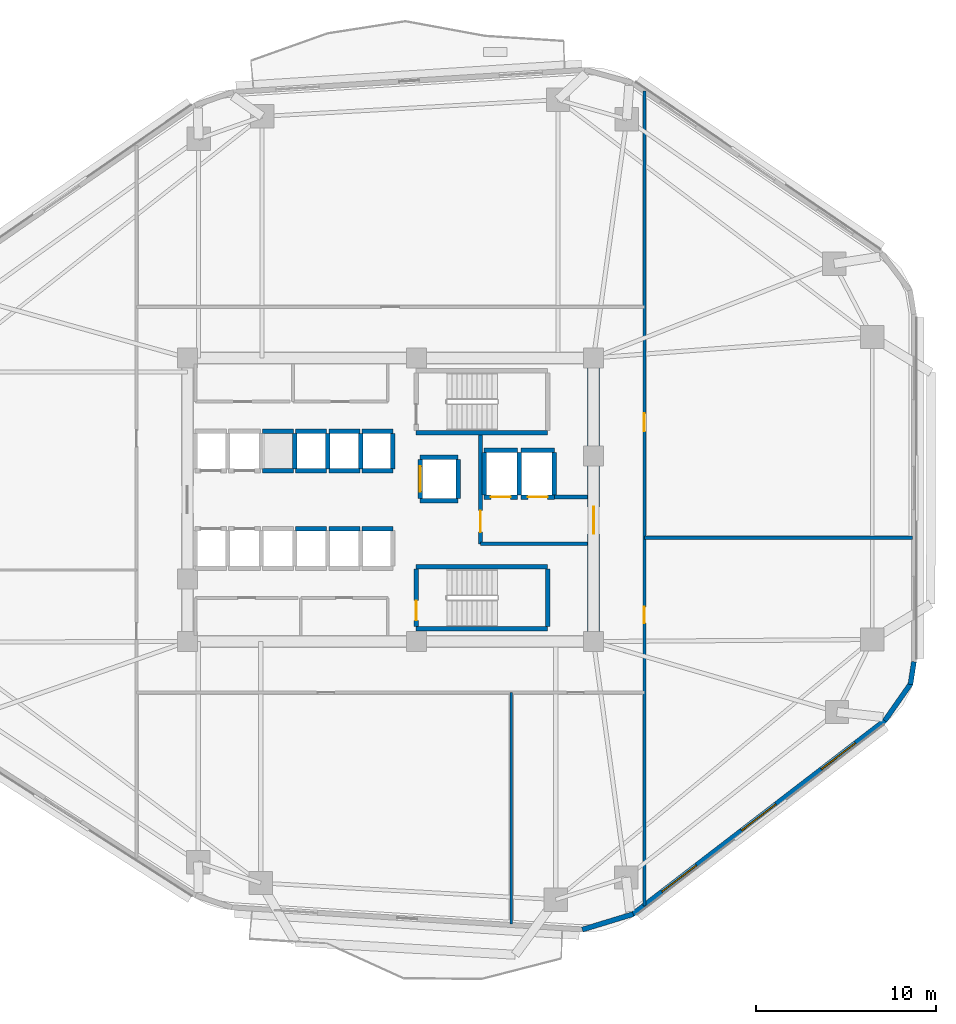
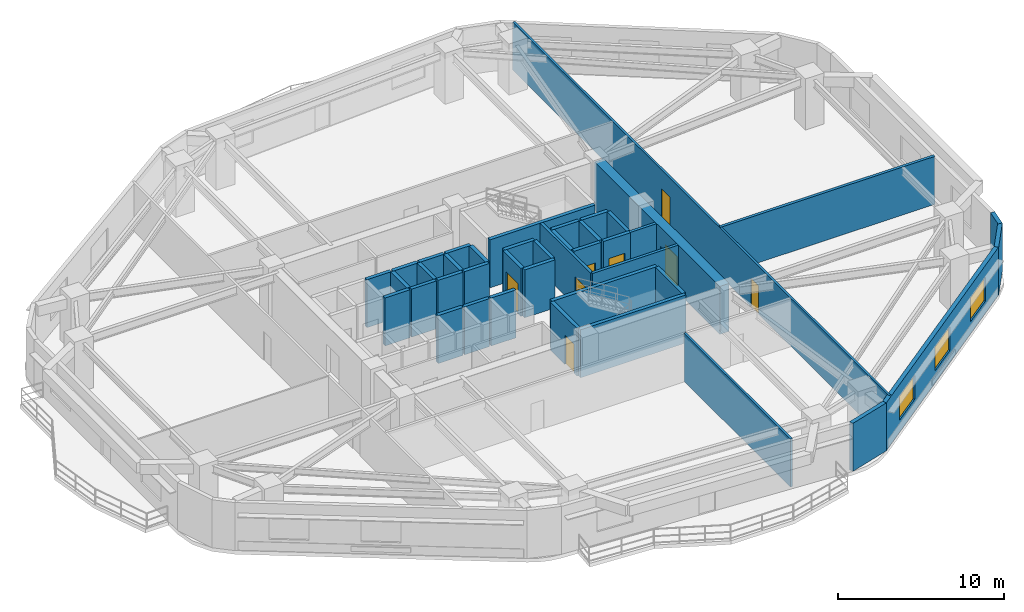
# One storey, part 4 of 11: 42 walls, 8 doors, 3 windows, 11 openings.
"""IFC4 building model written with IfcOpenShell, lengths in metres."""

import ifcopenshell
import ifcopenshell.guid

model = None  # the IFC model being written
_history = None  # IfcOwnerHistory: only IFC2X3 demands one
_inside = {}  # id of a spatial element -> (the spatial element, [elements in it])
_under = {}  # id of a project, library or spatial element -> (it, [spatial elements below it])
_declared = {}  # id of a project -> (the project, [libraries it declares])
_typed = {}  # id of a type object -> (the type object, [elements of that type])
_made_of = {}  # id of a material, layer set ... -> (it, [elements and type objects made of it])


def new_model(schema):
    """Start an empty IFC model of exactly this schema.

    Asked for "IFC4X3", IfcOpenShell would pick the latest addendum, in which some entities
    have other attributes; the version numbers below select the first issue.
    IFC2X3 requires an IfcOwnerHistory on every rooted entity: one is made here for all.
    """
    global model, _history
    if schema == "IFC4X3":
        model = ifcopenshell.file(schema_version=(4, 3, 0, 0))
    else:
        model = ifcopenshell.file(schema=schema)
    _inside.clear()
    _under.clear()
    _declared.clear()
    _typed.clear()
    _made_of.clear()
    _history = None
    if model.schema == "IFC2X3":
        org = make("IfcOrganization", Name="unknown")
        user = make(
            "IfcPersonAndOrganization",
            ThePerson=make("IfcPerson", FamilyName="unknown"),
            TheOrganization=org,
        )
        app = make(
            "IfcApplication",
            ApplicationDeveloper=org,
            Version="unknown",
            ApplicationFullName="unknown",
            ApplicationIdentifier="unknown",
        )
        _history = make(
            "IfcOwnerHistory",
            OwningUser=user,
            OwningApplication=app,
            ChangeAction="ADDED",
            CreationDate=0,
        )
    return model


def make(cls, **values):
    """One entity of the class cls with the attributes given. An attribute that is None is left unset."""
    return model.create_entity(
        cls, **{name: value for name, value in values.items() if value is not None}
    )


def rooted(cls, **values):
    """An entity with a GlobalId (a new one), such as an element, a storey or a relation."""
    return make(cls, GlobalId=ifcopenshell.guid.new(), OwnerHistory=_history, **values)


def si_unit(unit_type, name, prefix=None):
    """IfcSIUnit, for example si_unit("LENGTHUNIT", "METRE", prefix="MILLI")."""
    return make("IfcSIUnit", UnitType=unit_type, Prefix=prefix, Name=name)


def assignment(units):
    """IfcUnitAssignment: the units of a project."""
    return None if units is None else make("IfcUnitAssignment", Units=units)


def point(xyz):
    """IfcCartesianPoint."""
    return None if xyz is None else make("IfcCartesianPoint", Coordinates=xyz)


def direction(xyz):
    """IfcDirection."""
    return None if xyz is None else make("IfcDirection", DirectionRatios=xyz)


def frame(location, z_axis=None, x_axis=None):
    """IfcAxis2Placement3D, a coordinate frame: its origin and axes. An axis left out is left unset."""
    return make(
        "IfcAxis2Placement3D",
        Location=point(location),
        Axis=direction(z_axis),
        RefDirection=direction(x_axis),
    )


def frame_2d(location, x_axis=None):
    """IfcAxis2Placement2D, a coordinate frame in the plane: its origin and x axis."""
    return make(
        "IfcAxis2Placement2D", Location=point(location), RefDirection=direction(x_axis)
    )


def origin():
    """The frame at (0, 0, 0) with its axes left unset."""
    return frame((0.0, 0.0, 0.0))


def place(relative_to, where):
    """IfcLocalPlacement: puts the frame where relative to a parent placement (None: the world)."""
    return make(
        "IfcLocalPlacement", PlacementRelTo=relative_to, RelativePlacement=where
    )


def context(
    kind, dimensions, precision=None, world=None, true_north=None, identifier=None
):
    """IfcGeometricRepresentationContext, for example the 3D "Model" context."""
    return make(
        "IfcGeometricRepresentationContext",
        ContextIdentifier=identifier,
        ContextType=kind,
        CoordinateSpaceDimension=dimensions,
        Precision=precision,
        WorldCoordinateSystem=world,
        TrueNorth=true_north,
    )


def subcontext(parent, identifier, kind, view, scale=None):
    """IfcGeometricRepresentationSubContext, for example "Body" below "Model"."""
    return make(
        "IfcGeometricRepresentationSubContext",
        ContextIdentifier=identifier,
        ContextType=kind,
        ParentContext=parent,
        TargetScale=scale,
        TargetView=view,
    )


def project(units=None, contexts=None):
    """IfcProject with its units and contexts."""
    return rooted(
        "IfcProject",
        Name="project",
        RepresentationContexts=contexts,
        UnitsInContext=assignment(units),
    )


def spatial(cls, under=None, at=None, **own):
    """A site, building, storey or space (cls), placed at a placement, below another one or the project."""
    s = rooted(cls, ObjectPlacement=at, **own)
    if under is not None:
        _under.setdefault(under.id(), (under, []))[1].append(s)
    return s


def profile(cls, at=None, kind="AREA", **sizes):
    """A parametric profile (cls). Its sizes go by their IFC names, for example OverallWidth=200.0."""
    return make(cls, ProfileType=kind, Position=at, **sizes)


def rectangle(**sizes):
    """IfcRectangleProfileDef."""
    return profile("IfcRectangleProfileDef", **sizes)


def extrude(swept, where, along, depth):
    """IfcExtrudedAreaSolid: the profile swept, set in the frame where, extruded along a direction by depth."""
    return make(
        "IfcExtrudedAreaSolid",
        SweptArea=swept,
        Position=where,
        ExtrudedDirection=direction(along),
        Depth=depth,
    )


def shape(context_of_items, identifier, shape_type, items):
    """IfcShapeRepresentation: the items that make up one representation, for example the "Body"."""
    return make(
        "IfcShapeRepresentation",
        ContextOfItems=context_of_items,
        RepresentationIdentifier=identifier,
        RepresentationType=shape_type,
        Items=items,
    )


def material(Name=None, Category=None):
    """IfcMaterial."""
    return make("IfcMaterial", Name=Name, Category=Category)


def layer(
    of_material, thickness, ventilated=None, Name=None, Category=None, Priority=None
):
    """IfcMaterialLayer: one layer of a wall or slab, of a material (None: an air gap)."""
    return make(
        "IfcMaterialLayer",
        Material=of_material,
        LayerThickness=thickness,
        IsVentilated=ventilated,
        Name=Name,
        Category=Category,
        Priority=Priority,
    )


def layer_set(layers, Name=None):
    """IfcMaterialLayerSet."""
    return make("IfcMaterialLayerSet", MaterialLayers=layers, LayerSetName=Name)


def made_of(thing, what):
    """Note that an element or type object is made of a material, layer set ...; save() writes the relation."""
    if what is not None:
        _made_of.setdefault(what.id(), (what, []))[1].append(thing)
    return thing


def type_object(cls, material=None, **own):
    """A type object (cls), such as IfcWallType, which elements share."""
    return made_of(rooted(cls, **own), material)


def element(
    cls,
    number,
    at=None,
    inside=None,
    cuts=None,
    type_object=None,
    material=None,
    context=None,
    identifier="Body",
    shape_type=None,
    held_by="IfcProductDefinitionShape",
    body=None,
    shapes=None,
    **own,
):
    """One element of the class cls, such as IfcWall. Its Tag is "e" and its number.

    at: its placement. inside: the storey or other place that contains it. cuts: it is an
    opening in that element (IfcRelVoidsElement). A single representation is given by context,
    identifier, shape_type and body (its items); several are given by shapes. held_by: the class
    of the entity that holds the representations. save() writes the other relations.
    """
    e = rooted(cls, Tag="e%d" % number, ObjectPlacement=at, **own)
    if body is not None:
        shapes = [shape(context, identifier, shape_type, body)]
    if shapes is not None:
        e.Representation = make(held_by, Representations=shapes)
    if inside is not None:
        _inside.setdefault(inside.id(), (inside, []))[1].append(e)
    if cuts is not None:
        rooted(
            "IfcRelVoidsElement", RelatingBuildingElement=cuts, RelatedOpeningElement=e
        )
    if type_object is not None:
        _typed.setdefault(type_object.id(), (type_object, []))[1].append(e)
    return made_of(e, material)


def fill(opening, filler):
    """IfcRelFillsElement: the door or window that sits in an opening."""
    return rooted(
        "IfcRelFillsElement",
        RelatingOpeningElement=opening,
        RelatedBuildingElement=filler,
    )


def aggregate(whole, parts):
    """IfcRelAggregates: a whole, such as a stair, and the parts it consists of."""
    return rooted("IfcRelAggregates", RelatingObject=whole, RelatedObjects=parts)


def save(model, path):
    """Write the relations noted so far, then the file.

    IfcRelAggregates (storeys below a building ...), IfcRelContainedInSpatialStructure (elements
    in a storey), IfcRelDefinesByType, IfcRelAssociatesMaterial and IfcRelDeclares: one each for
    every whole, place, type object, material and project.
    """
    for whole, parts in _under.values():
        aggregate(whole, parts)
    for where, things in _inside.values():
        rooted(
            "IfcRelContainedInSpatialStructure",
            RelatedElements=things,
            RelatingStructure=where,
        )
    for kind, things in _typed.values():
        rooted("IfcRelDefinesByType", RelatedObjects=things, RelatingType=kind)
    for what, things in _made_of.values():
        rooted("IfcRelAssociatesMaterial", RelatedObjects=things, RelatingMaterial=what)
    for by, libraries in _declared.values():
        rooted("IfcRelDeclares", RelatingContext=by, RelatedDefinitions=libraries)
    model.write(path)


model = new_model("IFC4")

# Units and contexts
model_context = context("Model", 3, precision=1e-05, world=origin(), true_north=direction((0.0, 1.0)))
body_context = subcontext(model_context, "Body", "Model", "MODEL_VIEW")
ifc_project = project(units=[si_unit("LENGTHUNIT", "METRE"), si_unit("AREAUNIT", "SQUARE_METRE"), si_unit("VOLUMEUNIT", "CUBIC_METRE"), si_unit("PLANEANGLEUNIT", "RADIAN"), si_unit("MASSUNIT", "GRAM", prefix="KILO")], contexts=[model_context])

# Site, building, storey
site_placement = place(None, origin())
site = spatial("IfcSite", under=ifc_project, at=site_placement, CompositionType="ELEMENT")
building_placement = place(site_placement, origin())
building = spatial("IfcBuilding", under=site, at=building_placement, Name="Zulverin Broadcast Headquarters", CompositionType="ELEMENT")
storey_placement = place(building_placement, frame((0.0, 0.0, 28.800048828125)))
storey = spatial("IfcBuildingStorey", under=building, at=storey_placement, Name="L06", CompositionType="ELEMENT", Elevation=28.800048828125)

# Wall
ifc_material_1 = material(Name="Acoustic drywall steel stud", Category="steel")
ifc_layer_1 = layer(ifc_material_1, 0.199951171875, Name="Acoustic drywall steel stud", Category="steel")
ifc_layer_set_1 = layer_set([ifc_layer_1], Name="Acoustic drywall steel stud")
wall_type_1 = type_object("IfcWallType", Name="WL-ACOU-200", PredefinedType="PARTITIONING", material=ifc_layer_set_1)
wall_1_placement = place(storey_placement, frame((51.10009765625, 23.10009765625, 0.0), z_axis=(0.0, 0.0, 1.0), x_axis=(1.0, 0.0, 0.0)))
element("IfcWall", 1, at=wall_1_placement, inside=storey, type_object=wall_type_1, Name="L06 Room Partition Wall RP-06", PredefinedType="PARTITIONING", context=body_context, shape_type="SweptSolid", body=[
    extrude(rectangle(XDim=14.89501953125, YDim=0.199951171875, at=frame_2d((7.447509765625, 0.0))), origin(), (0.0, 0.0, 1.0), 3.52490234375),
])

# Wall, opening, door
ifc_material_2 = material(Name="Concrete C60/75", Category="concrete")
ifc_layer_2 = layer(ifc_material_2, 0.64990234375, Name="Concrete C60/75", Category="concrete")
ifc_layer_set_2 = layer_set([ifc_layer_2], Name="Concrete C60/75")
wall_type_2 = type_object("IfcWallType", Name="WL-CORE-650", PredefinedType="SHEAR", material=ifc_layer_set_2)
wall_2_placement = place(storey_placement, frame((48.27490234375, 17.64990234375, 0.0), z_axis=(0.0, 0.0, 1.0), x_axis=(0.0, 1.0, 0.0)))
wall_2 = element("IfcWall", 2, at=wall_2_placement, inside=storey, type_object=wall_type_2, Name="L06 Core East Shear Wall", PredefinedType="SHEAR", context=body_context, shape_type="SweptSolid", body=[
    extrude(rectangle(XDim=15.10009765625, YDim=0.64990234375, at=frame_2d((7.550048828125, 0.0))), origin(), (0.0, 0.0, 1.0), 3.52490234375),
])
opening_1_placement = place(wall_2_placement, frame((5.64990234375, 0.0, 0.0)))
opening_1 = element("IfcOpeningElement", 3, at=opening_1_placement, cuts=wall_2, Name="Opening D-L06-CE1", PredefinedType="OPENING", context=body_context, shape_type="SweptSolid", body=[
    extrude(rectangle(XDim=1.5, YDim=2.14990234375, at=frame_2d((0.75, 1.074951171875))), frame((0.0, 0.3349609375, 0.0), z_axis=(0.0, -1.0, 0.0), x_axis=(1.0, 0.0, 0.0)), (0.0, 0.0, 1.0), 0.669921875),
])
ifc_material_3 = material(Name="Fire-rated glazed steel frame", Category="steel")
door_type_1 = type_object("IfcDoorType", Name="DR-COR-1500", OperationType="DOUBLE_DOOR_SINGLE_SWING", PredefinedType="DOOR", material=ifc_material_3)
door_1_placement = place(opening_1_placement, origin())
door_1 = element("IfcDoor", 4, at=door_1_placement, inside=storey, type_object=door_type_1, Name="L06 Firefighting Lobby East Corridor Door", OperationType="DOUBLE_DOOR_SINGLE_SWING", OverallHeight=2.14990234375, OverallWidth=1.5, PredefinedType="DOOR", context=body_context, shape_type="SweptSolid", body=[
    extrude(rectangle(XDim=1.5, YDim=2.14990234375, at=frame_2d((0.75, 1.074951171875))), frame((0.0, 0.02490234375, 0.0), z_axis=(0.0, -1.0, 0.0), x_axis=(1.0, 0.0, 0.0)), (0.0, 0.0, 1.0), 0.050048828125),
])
fill(opening_1, door_1)

# Wall, openings, windows
ifc_material_4 = material(Name="Insulated pale-metal clad concrete spandrel C40/50", Category="concrete")
ifc_layer_3 = layer(ifc_material_4, 0.280029296875, Name="Insulated pale-metal clad concrete spandrel C40/50", Category="concrete")
ifc_layer_set_3 = layer_set([ifc_layer_3], Name="Insulated pale-metal clad concrete spandrel C40/50")
wall_type_3 = type_object("IfcWallType", Name="WL-EXT-280", PredefinedType="STANDARD", material=ifc_layer_set_3)
wall_3_placement = place(storey_placement, frame((50.4287109375, 2.171630859375, 0.0), z_axis=(0.0, 0.0, 1.0), x_axis=(0.792937466367, 0.609303023488, 0.0)))
wall_3 = element("IfcWall", 5, at=wall_3_placement, inside=storey, type_object=wall_type_3, Name="L06 Pale-Metal Clad Spandrel Wall 2", PredefinedType="STANDARD", context=body_context, shape_type="SweptSolid", body=[
    extrude(rectangle(XDim=17.712890625, YDim=0.280029296875, at=frame_2d((8.8564453125, 0.0))), origin(), (0.0, 0.0, 1.0), 3.52490234375),
])
opening_2_placement = place(wall_3_placement, frame((2.08544921875, 0.0, 0.89990234375)))
opening_2 = element("IfcOpeningElement", 6, at=opening_2_placement, cuts=wall_3, Name="Opening W-L06-E21", PredefinedType="OPENING", context=body_context, shape_type="SweptSolid", body=[
    extrude(rectangle(XDim=2.39990234375, YDim=1.75, at=frame_2d((1.199951171875, 0.875))), frame((0.0, 0.14990234375, 0.0), z_axis=(0.0, -1.0, 0.0), x_axis=(1.0, 0.0, 0.0)), (0.0, 0.0, 1.0), 0.300048828125),
])
opening_3_placement = place(wall_3_placement, frame((7.656494140625, 0.0, 0.89990234375)))
opening_3 = element("IfcOpeningElement", 7, at=opening_3_placement, cuts=wall_3, Name="Opening W-L06-E22", PredefinedType="OPENING", context=body_context, shape_type="SweptSolid", body=[
    extrude(rectangle(XDim=2.39990234375, YDim=1.75, at=frame_2d((1.199951171875, 0.875))), frame((0.0, 0.14990234375, 0.0), z_axis=(0.0, -1.0, 0.0), x_axis=(1.0, 0.0, 0.0)), (0.0, 0.0, 1.0), 0.300048828125),
])
opening_4_placement = place(wall_3_placement, frame((13.227294921875, 0.0, 0.89990234375)))
opening_4 = element("IfcOpeningElement", 8, at=opening_4_placement, cuts=wall_3, Name="Opening W-L06-E23", PredefinedType="OPENING", context=body_context, shape_type="SweptSolid", body=[
    extrude(rectangle(XDim=2.39990234375, YDim=1.75, at=frame_2d((1.199951171875, 0.875))), frame((0.0, 0.14990234375, 0.0), z_axis=(0.0, -1.0, 0.0), x_axis=(1.0, 0.0, 0.0)), (0.0, 0.0, 1.0), 0.300048828125),
])
ifc_material_5 = material(Name="Pale anodized aluminium frame with solar-control low-E double glazing", Category="aluminium")
window_type = type_object("IfcWindowType", Name="WIN-RIB-2400", PartitioningType="SINGLE_PANEL", PredefinedType="WINDOW", material=ifc_material_5)
window_1_placement = place(opening_2_placement, origin())
window_1 = element("IfcWindow", 9, at=window_1_placement, inside=storey, type_object=window_type, Name="L06 Ribbon Glazing Window 2 1", OverallHeight=1.75, OverallWidth=2.39990234375, PartitioningType="SINGLE_PANEL", PredefinedType="WINDOW", context=body_context, shape_type="SweptSolid", body=[
    extrude(rectangle(XDim=2.39990234375, YDim=1.75, at=frame_2d((1.199951171875, 0.875))), frame((0.0, 0.030029296875, 0.0), z_axis=(0.0, -1.0, 0.0), x_axis=(1.0, 0.0, 0.0)), (0.0, 0.0, 1.0), 0.06005859375),
])
fill(opening_2, window_1)
window_2_placement = place(opening_3_placement, origin())
window_2 = element("IfcWindow", 10, at=window_2_placement, inside=storey, type_object=window_type, Name="L06 Ribbon Glazing Window 2 2", OverallHeight=1.75, OverallWidth=2.39990234375, PartitioningType="SINGLE_PANEL", PredefinedType="WINDOW", context=body_context, shape_type="SweptSolid", body=[
    extrude(rectangle(XDim=2.39990234375, YDim=1.75, at=frame_2d((1.199951171875, 0.875))), frame((0.0, 0.030029296875, 0.0), z_axis=(0.0, -1.0, 0.0), x_axis=(1.0, 0.0, 0.0)), (0.0, 0.0, 1.0), 0.06005859375),
])
fill(opening_3, window_2)
window_3_placement = place(opening_4_placement, origin())
window_3 = element("IfcWindow", 11, at=window_3_placement, inside=storey, type_object=window_type, Name="L06 Ribbon Glazing Window 2 3", OverallHeight=1.75, OverallWidth=2.39990234375, PartitioningType="SINGLE_PANEL", PredefinedType="WINDOW", context=body_context, shape_type="SweptSolid", body=[
    extrude(rectangle(XDim=2.39990234375, YDim=1.75, at=frame_2d((1.199951171875, 0.875))), frame((0.0, 0.030029296875, 0.0), z_axis=(0.0, -1.0, 0.0), x_axis=(1.0, 0.0, 0.0)), (0.0, 0.0, 1.0), 0.06005859375),
])
fill(opening_4, window_3)

# Walls
wall_4_placement = place(storey_placement, frame((47.649658203125, 1.3330078125, 0.0), z_axis=(0.0, 0.0, 1.0), x_axis=(0.956461287977, 0.291859220516, 0.0)))
element("IfcWall", 12, at=wall_4_placement, inside=storey, type_object=wall_type_3, Name="L06 Wind-Shaped Corner Spandrel Wall 1-1", PredefinedType="STANDARD", context=body_context, shape_type="SweptSolid", body=[
    extrude(rectangle(XDim=2.951904296875, YDim=0.280029296875, at=frame_2d((1.47607421875, 0.0))), origin(), (0.0, 0.0, 1.0), 3.52490234375),
])
wall_5_placement = place(storey_placement, frame((64.4443359375, 12.933349609375, 0.0), z_axis=(0.0, 0.0, 1.0), x_axis=(0.573176686443, 0.819431806875, 0.0)))
element("IfcWall", 13, at=wall_5_placement, inside=storey, type_object=wall_type_3, Name="L06 Wind-Shaped Corner Spandrel Wall 2-1", PredefinedType="STANDARD", context=body_context, shape_type="SweptSolid", body=[
    extrude(rectangle(XDim=2.524169921875, YDim=0.280029296875, at=frame_2d((1.26220703125, 0.0))), origin(), (0.0, 0.0, 1.0), 3.52490234375),
])
wall_6_placement = place(storey_placement, frame((65.867431640625, 14.942626953125, 0.0), z_axis=(0.0, 0.0, 1.0), x_axis=(0.152014078361, 0.988378328364, 0.0)))
element("IfcWall", 14, at=wall_6_placement, inside=storey, type_object=wall_type_3, Name="L06 Wind-Shaped Corner Spandrel Wall 2-2", PredefinedType="STANDARD", context=body_context, shape_type="SweptSolid", body=[
    extrude(rectangle(XDim=1.27685546875, YDim=0.280029296875, at=frame_2d((0.638427734375, 0.0))), origin(), (0.0, 0.0, 1.0), 3.52490234375),
])

# Wall, opening, door
ifc_material_6 = material(Name="Concrete C40/50", Category="concrete")
ifc_layer_4 = layer(ifc_material_6, 0.199951171875, Name="Concrete C40/50", Category="concrete")
ifc_layer_set_4 = layer_set([ifc_layer_4], Name="Concrete C40/50")
wall_type_4 = type_object("IfcWallType", Name="WL-FFL-200", PredefinedType="SOLIDWALL", material=ifc_layer_set_4)
wall_7_placement = place(storey_placement, frame((42.0, 22.75, 0.0), z_axis=(0.0, 0.0, 1.0), x_axis=(0.0, 1.0, 0.0)))
wall_7 = element("IfcWall", 15, at=wall_7_placement, inside=storey, type_object=wall_type_4, Name="L06 Firefighting Lift Lobby West Wall", PredefinedType="SOLIDWALL", context=body_context, shape_type="SweptSolid", body=[
    extrude(rectangle(XDim=6.050048828125, YDim=0.199951171875, at=frame_2d((3.02490234375, 0.0))), origin(), (0.0, 0.0, 1.0), 3.52490234375),
])
opening_5_placement = place(wall_7_placement, frame((0.64990234375, 0.0, 0.0)))
opening_5 = element("IfcOpeningElement", 16, at=opening_5_placement, cuts=wall_7, Name="Opening D-L06-FFLW", PredefinedType="OPENING", context=body_context, shape_type="SweptSolid", body=[
    extrude(rectangle(XDim=1.199951171875, YDim=2.14990234375, at=frame_2d((0.60009765625, 1.074951171875))), frame((0.0, 0.10986328125, 0.0), z_axis=(0.0, -1.0, 0.0), x_axis=(1.0, 0.0, 0.0)), (0.0, 0.0, 1.0), 0.219970703125),
])
ifc_material_7 = material(Name="Fire-rated steel leaf and frame", Category="steel")
door_type_2 = type_object("IfcDoorType", Name="DR-FFL-1200", OperationType="SINGLE_SWING_RIGHT", PredefinedType="DOOR", material=ifc_material_7)
door_2_placement = place(opening_5_placement, origin())
door_2 = element("IfcDoor", 17, at=door_2_placement, inside=storey, type_object=door_type_2, Name="L06 Firefighting Lift Lobby Door", OperationType="SINGLE_SWING_RIGHT", OverallHeight=2.14990234375, OverallWidth=1.199951171875, PredefinedType="DOOR", context=body_context, shape_type="SweptSolid", body=[
    extrude(rectangle(XDim=1.199951171875, YDim=2.14990234375, at=frame_2d((0.60009765625, 1.074951171875))), frame((0.0, 0.02490234375, 0.0), z_axis=(0.0, -1.0, 0.0), x_axis=(1.0, 0.0, 0.0)), (0.0, 0.0, 1.0), 0.050048828125),
])
fill(opening_5, door_2)

# Walls
wall_8_placement = place(storey_placement, frame((42.0, 22.75, 0.0), z_axis=(0.0, 0.0, 1.0), x_axis=(1.0, 0.0, 0.0)))
element("IfcWall", 18, at=wall_8_placement, inside=storey, type_object=wall_type_4, Name="L06 Firefighting Lift Lobby South Wall", PredefinedType="SOLIDWALL", context=body_context, shape_type="SweptSolid", body=[
    extrude(rectangle(XDim=5.949951171875, YDim=0.199951171875, at=frame_2d((2.97509765625, 0.0))), origin(), (0.0, 0.0, 1.0), 3.52490234375),
])
wall_9_placement = place(storey_placement, frame((46.10009765625, 25.35009765625, 0.0), z_axis=(0.0, 0.0, 1.0), x_axis=(1.0, 0.0, 0.0)))
element("IfcWall", 19, at=wall_9_placement, inside=storey, type_object=wall_type_4, Name="L06 Firefighting Lift Lobby North Wall", PredefinedType="SOLIDWALL", context=body_context, shape_type="SweptSolid", body=[
    extrude(rectangle(XDim=1.849853515625, YDim=0.199951171875, at=frame_2d((0.9248046875, 0.0))), origin(), (0.0, 0.0, 1.0), 3.52490234375),
])

# Wall, openings, doors
ifc_material_8 = material(Name="Fire-rated gypsum stud partition", Category="gypsum")
ifc_layer_5 = layer(ifc_material_8, 0.14990234375, Name="Fire-rated gypsum stud partition", Category="gypsum")
ifc_layer_set_5 = layer_set([ifc_layer_5], Name="Fire-rated gypsum stud partition")
wall_type_5 = type_object("IfcWallType", Name="WL-PART-150", PredefinedType="PARTITIONING", material=ifc_layer_set_5)
wall_10_placement = place(storey_placement, frame((51.10009765625, 2.65087890625, 0.0), z_axis=(0.0, 0.0, 1.0), x_axis=(0.0, 1.0, 0.0)))
wall_10 = element("IfcWall", 20, at=wall_10_placement, inside=storey, type_object=wall_type_5, Name="L06 Gallery Partition Wall CG-01", PredefinedType="PARTITIONING", context=body_context, shape_type="SweptSolid", body=[
    extrude(rectangle(XDim=45.255126953125, YDim=0.14990234375, at=frame_2d((22.62744140625, 0.0))), origin(), (0.0, 0.0, 1.0), 3.52490234375),
])
opening_6_placement = place(wall_10_placement, frame((15.69921875, 0.0, 0.0)))
opening_6 = element("IfcOpeningElement", 21, at=opening_6_placement, cuts=wall_10, Name="Opening D-L06-06", PredefinedType="OPENING", context=body_context, shape_type="SweptSolid", body=[
    extrude(rectangle(XDim=0.89990234375, YDim=2.10009765625, at=frame_2d((0.449951171875, 1.050048828125))), frame((0.0, 0.0849609375, 0.0), z_axis=(0.0, -1.0, 0.0), x_axis=(1.0, 0.0, 0.0)), (0.0, 0.0, 1.0), 0.169921875),
])
opening_7_placement = place(wall_10_placement, frame((26.34912109375, 0.0, 0.0)))
opening_7 = element("IfcOpeningElement", 22, at=opening_7_placement, cuts=wall_10, Name="Opening D-L06-07", PredefinedType="OPENING", context=body_context, shape_type="SweptSolid", body=[
    extrude(rectangle(XDim=1.0, YDim=2.1201171875, at=frame_2d((0.5, 1.06005859375))), frame((0.0, 0.0849609375, 0.0), z_axis=(0.0, -1.0, 0.0), x_axis=(1.0, 0.0, 0.0)), (0.0, 0.0, 1.0), 0.169921875),
])
ifc_material_9 = material(Name="Hardwood veneer acoustic leaf", Category="wood")
door_type_3 = type_object("IfcDoorType", Name="DR-OFF-1000", OperationType="SINGLE_SWING_LEFT", PredefinedType="DOOR", material=ifc_material_9)
door_3_placement = place(opening_7_placement, origin())
door_3 = element("IfcDoor", 23, at=door_3_placement, inside=storey, type_object=door_type_3, Name="L06 Open Media Workplace Door", OperationType="SINGLE_SWING_LEFT", OverallHeight=2.1201171875, OverallWidth=1.0, PredefinedType="DOOR", context=body_context, shape_type="SweptSolid", body=[
    extrude(rectangle(XDim=1.0, YDim=2.1201171875, at=frame_2d((0.5, 1.06005859375))), frame((0.0, 0.02490234375, 0.0), z_axis=(0.0, -1.0, 0.0), x_axis=(1.0, 0.0, 0.0)), (0.0, 0.0, 1.0), 0.050048828125),
])
fill(opening_7, door_3)
ifc_material_10 = material(Name="Fire-rated hardwood veneer timber leaf", Category="wood")
door_type_4 = type_object("IfcDoorType", Name="DR-ROOM-900", OperationType="SINGLE_SWING_RIGHT", PredefinedType="DOOR", material=ifc_material_10)
door_4_placement = place(opening_6_placement, origin())
door_4 = element("IfcDoor", 24, at=door_4_placement, inside=storey, type_object=door_type_4, Name="L06 Client Reception Door", OperationType="SINGLE_SWING_RIGHT", OverallHeight=2.10009765625, OverallWidth=0.89990234375, PredefinedType="DOOR", context=body_context, shape_type="SweptSolid", body=[
    extrude(rectangle(XDim=0.89990234375, YDim=2.10009765625, at=frame_2d((0.449951171875, 1.050048828125))), frame((0.0, 0.02490234375, 0.0), z_axis=(0.0, -1.0, 0.0), x_axis=(1.0, 0.0, 0.0)), (0.0, 0.0, 1.0), 0.050048828125),
])
fill(opening_6, door_4)

# Walls
wall_11_placement = place(storey_placement, frame((43.699951171875, 1.656005859375, 0.0), z_axis=(0.0, 0.0, 1.0), x_axis=(0.0, 1.0, 0.0)))
element("IfcWall", 25, at=wall_11_placement, inside=storey, type_object=wall_type_5, Name="L06 Room Partition Wall RP-02", PredefinedType="PARTITIONING", context=body_context, shape_type="SweptSolid", body=[
    extrude(rectangle(XDim=12.843994140625, YDim=0.14990234375, at=frame_2d((6.421875, 0.0))), origin(), (0.0, 0.0, 1.0), 3.52490234375),
])
ifc_material_11 = material(Name="Concrete C50/60", Category="concrete")
ifc_layer_6 = layer(ifc_material_11, 0.25, Name="Concrete C50/60", Category="concrete")
ifc_layer_set_6 = layer_set([ifc_layer_6], Name="Concrete C50/60")
wall_type_6 = type_object("IfcWallType", Name="WL-SHAFT-250", PredefinedType="SHEAR", material=ifc_layer_set_6)
for number, where, z_axis, x_axis, name in (
    (26, (38.425048828125, 28.925048828125, 0.0), (0.0, 0.0, 1.0), (1.0, 0.0, 0.0), "L06 ST-1 Enclosure Wall S"),
    (27, (38.425048828125, 18.02490234375, 0.0), (0.0, 0.0, 1.0), (1.0, 0.0, 0.0), "L06 ST-2 Enclosure Wall S"),
    (28, (38.425048828125, 21.47509765625, 0.0), (0.0, 0.0, 1.0), (1.0, 0.0, 0.0), "L06 ST-2 Enclosure Wall N"),
):
    element("IfcWall", number, at=place(storey_placement, frame(where, z_axis=z_axis, x_axis=x_axis)), inside=storey, type_object=wall_type_6, Name=name, PredefinedType="SHEAR", context=body_context, shape_type="SweptSolid", body=[
        extrude(rectangle(XDim=7.300048828125, YDim=0.25, at=frame_2d((3.64990234375, 0.0))), origin(), (0.0, 0.0, 1.0), 3.52490234375),
    ])

# Wall, opening, door
wall_12_placement = place(storey_placement, frame((38.425048828125, 18.14990234375, 0.0), z_axis=(0.0, 0.0, 1.0), x_axis=(0.0, 1.0, 0.0)))
wall_12 = element("IfcWall", 29, at=wall_12_placement, inside=storey, type_object=wall_type_6, Name="L06 ST-2 Enclosure Wall W", PredefinedType="SHEAR", context=body_context, shape_type="SweptSolid", body=[
    extrude(rectangle(XDim=3.2001953125, YDim=0.25, at=frame_2d((1.60009765625, 0.0))), origin(), (0.0, 0.0, 1.0), 3.52490234375),
])
opening_8_placement = place(wall_12_placement, frame((0.35009765625, 0.0, 0.0)))
opening_8 = element("IfcOpeningElement", 30, at=opening_8_placement, cuts=wall_12, Name="Opening D-L06-ST-2", PredefinedType="OPENING", context=body_context, shape_type="SweptSolid", body=[
    extrude(rectangle(XDim=1.10009765625, YDim=2.14990234375, at=frame_2d((0.550048828125, 1.074951171875))), frame((0.0, 0.135009765625, 0.0), z_axis=(0.0, -1.0, 0.0), x_axis=(1.0, 0.0, 0.0)), (0.0, 0.0, 1.0), 0.27001953125),
])
door_type_5 = type_object("IfcDoorType", Name="DR-STAIR-1100", OperationType="SINGLE_SWING_LEFT", PredefinedType="DOOR", material=ifc_material_7)
door_5_placement = place(opening_8_placement, origin())
door_5 = element("IfcDoor", 31, at=door_5_placement, inside=storey, type_object=door_type_5, Name="L06 Exit Stair ST-2 Fire Door", OperationType="SINGLE_SWING_RIGHT", OverallHeight=2.14990234375, OverallWidth=1.10009765625, PredefinedType="DOOR", context=body_context, shape_type="SweptSolid", body=[
    extrude(rectangle(XDim=1.10009765625, YDim=2.14990234375, at=frame_2d((0.550048828125, 1.074951171875))), frame((0.0, 0.02490234375, 0.0), z_axis=(0.0, -1.0, 0.0), x_axis=(1.0, 0.0, 0.0)), (0.0, 0.0, 1.0), 0.050048828125),
])
fill(opening_8, door_5)

# Walls
wall_13_placement = place(storey_placement, frame((45.72509765625, 18.14990234375, 0.0), z_axis=(0.0, 0.0, 1.0), x_axis=(0.0, 1.0, 0.0)))
element("IfcWall", 32, at=wall_13_placement, inside=storey, type_object=wall_type_6, Name="L06 ST-2 Enclosure Wall E", PredefinedType="SHEAR", context=body_context, shape_type="SweptSolid", body=[
    extrude(rectangle(XDim=3.2001953125, YDim=0.25, at=frame_2d((1.60009765625, 0.0))), origin(), (0.0, 0.0, 1.0), 3.52490234375),
])
for number, where, z_axis, x_axis, name in (
    (33, (31.739990234375, 23.60009765625, 0.0), (0.0, 0.0, 1.0), (1.0, 0.0, 0.0), "L06 Lift PL-M2 Shaft Wall N"),
    (34, (33.580078125, 23.60009765625, 0.0), (0.0, 0.0, 1.0), (1.0, 0.0, 0.0), "L06 Lift PL-M3 Shaft Wall N"),
    (35, (35.419921875, 23.60009765625, 0.0), (0.0, 0.0, 1.0), (1.0, 0.0, 0.0), "L06 Lift PL-M4 Shaft Wall N"),
):
    element("IfcWall", number, at=place(storey_placement, frame(where, z_axis=z_axis, x_axis=x_axis)), inside=storey, type_object=wall_type_6, Name=name, PredefinedType="SHEAR", context=body_context, shape_type="SweptSolid", body=[
        extrude(rectangle(XDim=1.719970703125, YDim=0.25, at=frame_2d((0.85986328125, 0.0))), origin(), (0.0, 0.0, 1.0), 3.52490234375),
    ])
for number, where, z_axis, x_axis, name in (
    (36, (29.89990234375, 26.800048828125, 0.0), (0.0, 0.0, 1.0), (1.0, 0.0, 0.0), "L06 Lift PL-H1 Shaft Wall S"),
    (37, (29.89990234375, 29.0, 0.0), (0.0, 0.0, 1.0), (1.0, 0.0, 0.0), "L06 Lift PL-H1 Shaft Wall N"),
):
    element("IfcWall", number, at=place(storey_placement, frame(where, z_axis=z_axis, x_axis=x_axis)), inside=storey, type_object=wall_type_6, Name=name, PredefinedType="SHEAR", context=body_context, shape_type="SweptSolid", body=[
        extrude(rectangle(XDim=1.72021484375, YDim=0.25, at=frame_2d((0.860107421875, 0.0))), origin(), (0.0, 0.0, 1.0), 3.52490234375),
    ])
wall_14_placement = place(storey_placement, frame((31.679931640625, 26.919921875, 0.0), z_axis=(0.0, 0.0, 1.0), x_axis=(0.0, 1.0, 0.0)))
element("IfcWall", 38, at=wall_14_placement, inside=storey, type_object=wall_type_6, Name="L06 Lift PL-H1 Shaft Wall E", PredefinedType="SHEAR", context=body_context, shape_type="SweptSolid", body=[
    extrude(rectangle(XDim=1.9599609375, YDim=0.25, at=frame_2d((0.97998046875, 0.0))), origin(), (0.0, 0.0, 1.0), 3.52490234375),
])
for number, where, z_axis, x_axis, name in (
    (39, (31.739990234375, 26.800048828125, 0.0), (0.0, 0.0, 1.0), (1.0, 0.0, 0.0), "L06 Lift PL-H2 Shaft Wall S"),
    (40, (31.739990234375, 29.0, 0.0), (0.0, 0.0, 1.0), (1.0, 0.0, 0.0), "L06 Lift PL-H2 Shaft Wall N"),
):
    element("IfcWall", number, at=place(storey_placement, frame(where, z_axis=z_axis, x_axis=x_axis)), inside=storey, type_object=wall_type_6, Name=name, PredefinedType="SHEAR", context=body_context, shape_type="SweptSolid", body=[
        extrude(rectangle(XDim=1.719970703125, YDim=0.25, at=frame_2d((0.85986328125, 0.0))), origin(), (0.0, 0.0, 1.0), 3.52490234375),
    ])
wall_15_placement = place(storey_placement, frame((33.52001953125, 26.919921875, 0.0), z_axis=(0.0, 0.0, 1.0), x_axis=(0.0, 1.0, 0.0)))
element("IfcWall", 41, at=wall_15_placement, inside=storey, type_object=wall_type_6, Name="L06 Lift PL-H2 Shaft Wall E", PredefinedType="SHEAR", context=body_context, shape_type="SweptSolid", body=[
    extrude(rectangle(XDim=1.9599609375, YDim=0.25, at=frame_2d((0.97998046875, 0.0))), origin(), (0.0, 0.0, 1.0), 3.52490234375),
])
for number, where, z_axis, x_axis, name in (
    (42, (33.580078125, 26.800048828125, 0.0), (0.0, 0.0, 1.0), (1.0, 0.0, 0.0), "L06 Lift PL-H3 Shaft Wall S"),
    (43, (33.580078125, 29.0, 0.0), (0.0, 0.0, 1.0), (1.0, 0.0, 0.0), "L06 Lift PL-H3 Shaft Wall N"),
):
    element("IfcWall", number, at=place(storey_placement, frame(where, z_axis=z_axis, x_axis=x_axis)), inside=storey, type_object=wall_type_6, Name=name, PredefinedType="SHEAR", context=body_context, shape_type="SweptSolid", body=[
        extrude(rectangle(XDim=1.719970703125, YDim=0.25, at=frame_2d((0.85986328125, 0.0))), origin(), (0.0, 0.0, 1.0), 3.52490234375),
    ])
wall_16_placement = place(storey_placement, frame((35.360107421875, 26.919921875, 0.0), z_axis=(0.0, 0.0, 1.0), x_axis=(0.0, 1.0, 0.0)))
element("IfcWall", 44, at=wall_16_placement, inside=storey, type_object=wall_type_6, Name="L06 Lift PL-H3 Shaft Wall E", PredefinedType="SHEAR", context=body_context, shape_type="SweptSolid", body=[
    extrude(rectangle(XDim=1.9599609375, YDim=0.25, at=frame_2d((0.97998046875, 0.0))), origin(), (0.0, 0.0, 1.0), 3.52490234375),
])
for number, where, z_axis, x_axis, name in (
    (45, (35.419921875, 26.800048828125, 0.0), (0.0, 0.0, 1.0), (1.0, 0.0, 0.0), "L06 Lift PL-H4 Shaft Wall S"),
    (46, (35.419921875, 29.0, 0.0), (0.0, 0.0, 1.0), (1.0, 0.0, 0.0), "L06 Lift PL-H4 Shaft Wall N"),
):
    element("IfcWall", number, at=place(storey_placement, frame(where, z_axis=z_axis, x_axis=x_axis)), inside=storey, type_object=wall_type_6, Name=name, PredefinedType="SHEAR", context=body_context, shape_type="SweptSolid", body=[
        extrude(rectangle(XDim=1.719970703125, YDim=0.25, at=frame_2d((0.85986328125, 0.0))), origin(), (0.0, 0.0, 1.0), 3.52490234375),
    ])
wall_17_placement = place(storey_placement, frame((37.139892578125, 26.919921875, 0.0), z_axis=(0.0, 0.0, 1.0), x_axis=(0.0, 1.0, 0.0)))
element("IfcWall", 47, at=wall_17_placement, inside=storey, type_object=wall_type_6, Name="L06 Lift PL-H4 Shaft Wall E", PredefinedType="SHEAR", context=body_context, shape_type="SweptSolid", body=[
    extrude(rectangle(XDim=1.9599609375, YDim=0.25, at=frame_2d((0.97998046875, 0.0))), origin(), (0.0, 0.0, 1.0), 3.52490234375),
])

# Wall, opening, door
wall_18_placement = place(storey_placement, frame((42.199951171875, 25.35009765625, 0.0), z_axis=(0.0, 0.0, 1.0), x_axis=(1.0, 0.0, 0.0)))
wall_18 = element("IfcWall", 48, at=wall_18_placement, inside=storey, type_object=wall_type_6, Name="L06 Lift FFL-1 Shaft Wall S", PredefinedType="SHEAR", context=body_context, shape_type="SweptSolid", body=[
    extrude(rectangle(XDim=1.85009765625, YDim=0.25, at=frame_2d((0.925048828125, 0.0))), origin(), (0.0, 0.0, 1.0), 3.52490234375),
])
opening_9_placement = place(wall_18_placement, frame((0.375, 0.0, 0.0)))
opening_9 = element("IfcOpeningElement", 49, at=opening_9_placement, cuts=wall_18, Name="Opening LD-FFL-1-L06", PredefinedType="OPENING", context=body_context, shape_type="SweptSolid", body=[
    extrude(rectangle(XDim=1.10009765625, YDim=2.14990234375, at=frame_2d((0.550048828125, 1.074951171875))), frame((0.0, 0.135009765625, 0.0), z_axis=(0.0, -1.0, 0.0), x_axis=(1.0, 0.0, 0.0)), (0.0, 0.0, 1.0), 0.27001953125),
])
ifc_material_12 = material(Name="Fire-rated stainless landing door", Category="steel")
door_type_6 = type_object("IfcDoorType", Name="LD-FFL-1100", OperationType="DOUBLE_DOOR_SLIDING", PredefinedType="DOOR", material=ifc_material_12)
door_6_placement = place(opening_9_placement, origin())
door_6 = element("IfcDoor", 50, at=door_6_placement, inside=storey, type_object=door_type_6, Name="L06 Lift FFL-1 Sliding Landing Door", OperationType="DOUBLE_DOOR_SLIDING", OverallHeight=2.14990234375, OverallWidth=1.10009765625, PredefinedType="DOOR", context=body_context, shape_type="SweptSolid", body=[
    extrude(rectangle(XDim=1.10009765625, YDim=2.14990234375, at=frame_2d((0.550048828125, 1.074951171875))), frame((0.0, 0.02490234375, 0.0), z_axis=(0.0, -1.0, 0.0), x_axis=(1.0, 0.0, 0.0)), (0.0, 0.0, 1.0), 0.050048828125),
])
fill(opening_9, door_6)

# Walls
wall_19_placement = place(storey_placement, frame((42.199951171875, 27.949951171875, 0.0), z_axis=(0.0, 0.0, 1.0), x_axis=(1.0, 0.0, 0.0)))
element("IfcWall", 51, at=wall_19_placement, inside=storey, type_object=wall_type_6, Name="L06 Lift FFL-1 Shaft Wall N", PredefinedType="SHEAR", context=body_context, shape_type="SweptSolid", body=[
    extrude(rectangle(XDim=1.85009765625, YDim=0.25, at=frame_2d((0.925048828125, 0.0))), origin(), (0.0, 0.0, 1.0), 3.52490234375),
])
for number, where, z_axis, x_axis, name in (
    (52, (42.199951171875, 25.469970703125, 0.0), (0.0, 0.0, 1.0), (0.0, 1.0, 0.0), "L06 Lift FFL-1 Shaft Wall W"),
    (53, (44.14990234375, 25.469970703125, 0.0), (0.0, 0.0, 1.0), (0.0, 1.0, 0.0), "L06 Lift FFL-1 Shaft Wall E"),
):
    element("IfcWall", number, at=place(storey_placement, frame(where, z_axis=z_axis, x_axis=x_axis)), inside=storey, type_object=wall_type_6, Name=name, PredefinedType="SHEAR", context=body_context, shape_type="SweptSolid", body=[
        extrude(rectangle(XDim=2.360107421875, YDim=0.25, at=frame_2d((1.18017578125, 0.0))), origin(), (0.0, 0.0, 1.0), 3.52490234375),
    ])

# Wall, opening, door
wall_20_placement = place(storey_placement, frame((44.25, 25.35009765625, 0.0), z_axis=(0.0, 0.0, 1.0), x_axis=(1.0, 0.0, 0.0)))
wall_20 = element("IfcWall", 54, at=wall_20_placement, inside=storey, type_object=wall_type_6, Name="L06 Lift FFL-2 Shaft Wall S", PredefinedType="SHEAR", context=body_context, shape_type="SweptSolid", body=[
    extrude(rectangle(XDim=1.85009765625, YDim=0.25, at=frame_2d((0.925048828125, 0.0))), origin(), (0.0, 0.0, 1.0), 3.52490234375),
])
opening_10_placement = place(wall_20_placement, frame((0.375, 0.0, 0.0)))
opening_10 = element("IfcOpeningElement", 55, at=opening_10_placement, cuts=wall_20, Name="Opening LD-FFL-2-L06", PredefinedType="OPENING", context=body_context, shape_type="SweptSolid", body=[
    extrude(rectangle(XDim=1.10009765625, YDim=2.14990234375, at=frame_2d((0.550048828125, 1.074951171875))), frame((0.0, 0.135009765625, 0.0), z_axis=(0.0, -1.0, 0.0), x_axis=(1.0, 0.0, 0.0)), (0.0, 0.0, 1.0), 0.27001953125),
])
door_7_placement = place(opening_10_placement, origin())
door_7 = element("IfcDoor", 56, at=door_7_placement, inside=storey, type_object=door_type_6, Name="L06 Lift FFL-2 Sliding Landing Door", OperationType="DOUBLE_DOOR_SLIDING", OverallHeight=2.14990234375, OverallWidth=1.10009765625, PredefinedType="DOOR", context=body_context, shape_type="SweptSolid", body=[
    extrude(rectangle(XDim=1.10009765625, YDim=2.14990234375, at=frame_2d((0.550048828125, 1.074951171875))), frame((0.0, 0.02490234375, 0.0), z_axis=(0.0, -1.0, 0.0), x_axis=(1.0, 0.0, 0.0)), (0.0, 0.0, 1.0), 0.050048828125),
])
fill(opening_10, door_7)

# Walls
wall_21_placement = place(storey_placement, frame((44.25, 27.949951171875, 0.0), z_axis=(0.0, 0.0, 1.0), x_axis=(1.0, 0.0, 0.0)))
element("IfcWall", 57, at=wall_21_placement, inside=storey, type_object=wall_type_6, Name="L06 Lift FFL-2 Shaft Wall N", PredefinedType="SHEAR", context=body_context, shape_type="SweptSolid", body=[
    extrude(rectangle(XDim=1.85009765625, YDim=0.25, at=frame_2d((0.925048828125, 0.0))), origin(), (0.0, 0.0, 1.0), 3.52490234375),
])
wall_22_placement = place(storey_placement, frame((46.10009765625, 25.469970703125, 0.0), z_axis=(0.0, 0.0, 1.0), x_axis=(0.0, 1.0, 0.0)))
element("IfcWall", 58, at=wall_22_placement, inside=storey, type_object=wall_type_6, Name="L06 Lift FFL-2 Shaft Wall E", PredefinedType="SHEAR", context=body_context, shape_type="SweptSolid", body=[
    extrude(rectangle(XDim=2.360107421875, YDim=0.25, at=frame_2d((1.18017578125, 0.0))), origin(), (0.0, 0.0, 1.0), 3.52490234375),
])
for number, where, z_axis, x_axis, name in (
    (59, (38.64990234375, 25.14990234375, 0.0), (0.0, 0.0, 1.0), (1.0, 0.0, 0.0), "L06 Lift SVL-1 Shaft Wall S"),
    (60, (38.64990234375, 27.550048828125, 0.0), (0.0, 0.0, 1.0), (1.0, 0.0, 0.0), "L06 Lift SVL-1 Shaft Wall N"),
):
    element("IfcWall", number, at=place(storey_placement, frame(where, z_axis=z_axis, x_axis=x_axis)), inside=storey, type_object=wall_type_6, Name=name, PredefinedType="SHEAR", context=body_context, shape_type="SweptSolid", body=[
        extrude(rectangle(XDim=2.10009765625, YDim=0.25, at=frame_2d((1.050048828125, 0.0))), origin(), (0.0, 0.0, 1.0), 3.52490234375),
    ])

# Wall, opening, door
wall_23_placement = place(storey_placement, frame((38.64990234375, 25.27001953125, 0.0), z_axis=(0.0, 0.0, 1.0), x_axis=(0.0, 1.0, 0.0)))
wall_23 = element("IfcWall", 61, at=wall_23_placement, inside=storey, type_object=wall_type_6, Name="L06 Lift SVL-1 Shaft Wall W", PredefinedType="SHEAR", context=body_context, shape_type="SweptSolid", body=[
    extrude(rectangle(XDim=2.159912109375, YDim=0.25, at=frame_2d((1.080078125, 0.0))), origin(), (0.0, 0.0, 1.0), 3.52490234375),
])
opening_11_placement = place(wall_23_placement, frame((0.3798828125, 0.0, 0.0)))
opening_11 = element("IfcOpeningElement", 62, at=opening_11_placement, cuts=wall_23, Name="Opening LD-SVL-1-L06", PredefinedType="OPENING", context=body_context, shape_type="SweptSolid", body=[
    extrude(rectangle(XDim=1.39990234375, YDim=2.199951171875, at=frame_2d((0.699951171875, 1.10009765625))), frame((0.0, 0.135009765625, 0.0), z_axis=(0.0, -1.0, 0.0), x_axis=(1.0, 0.0, 0.0)), (0.0, 0.0, 1.0), 0.27001953125),
])
ifc_material_13 = material(Name="Heavy-duty stainless landing door", Category="steel")
door_type_7 = type_object("IfcDoorType", Name="LD-GOODS-1400", OperationType="DOUBLE_DOOR_SLIDING", PredefinedType="DOOR", material=ifc_material_13)
door_8_placement = place(opening_11_placement, origin())
door_8 = element("IfcDoor", 63, at=door_8_placement, inside=storey, type_object=door_type_7, Name="L06 Lift SVL-1 Sliding Landing Door", OperationType="DOUBLE_DOOR_SLIDING", OverallHeight=2.199951171875, OverallWidth=1.39990234375, PredefinedType="DOOR", context=body_context, shape_type="SweptSolid", body=[
    extrude(rectangle(XDim=1.39990234375, YDim=2.199951171875, at=frame_2d((0.699951171875, 1.10009765625))), frame((0.0, 0.02490234375, 0.0), z_axis=(0.0, -1.0, 0.0), x_axis=(1.0, 0.0, 0.0)), (0.0, 0.0, 1.0), 0.050048828125),
])
fill(opening_11, door_8)

# Wall
wall_24_placement = place(storey_placement, frame((40.75, 25.27001953125, 0.0), z_axis=(0.0, 0.0, 1.0), x_axis=(0.0, 1.0, 0.0)))
element("IfcWall", 64, at=wall_24_placement, inside=storey, type_object=wall_type_6, Name="L06 Lift SVL-1 Shaft Wall E", PredefinedType="SHEAR", context=body_context, shape_type="SweptSolid", body=[
    extrude(rectangle(XDim=2.159912109375, YDim=0.25, at=frame_2d((1.080078125, 0.0))), origin(), (0.0, 0.0, 1.0), 3.52490234375),
])

save(model, "model.ifc")
